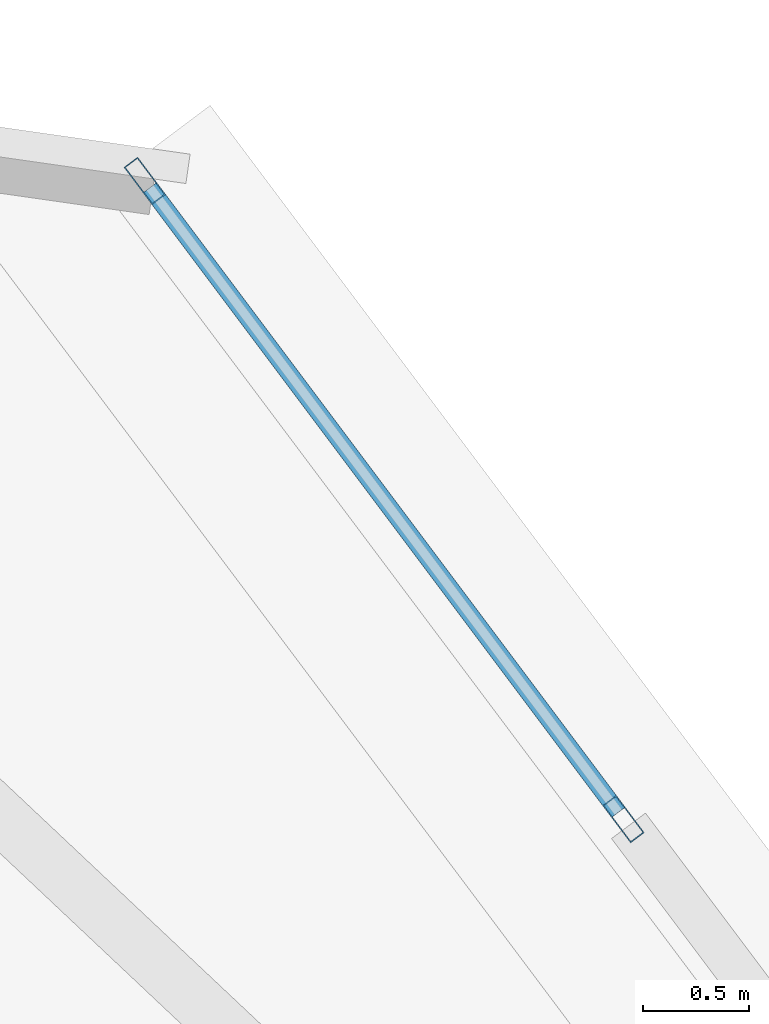
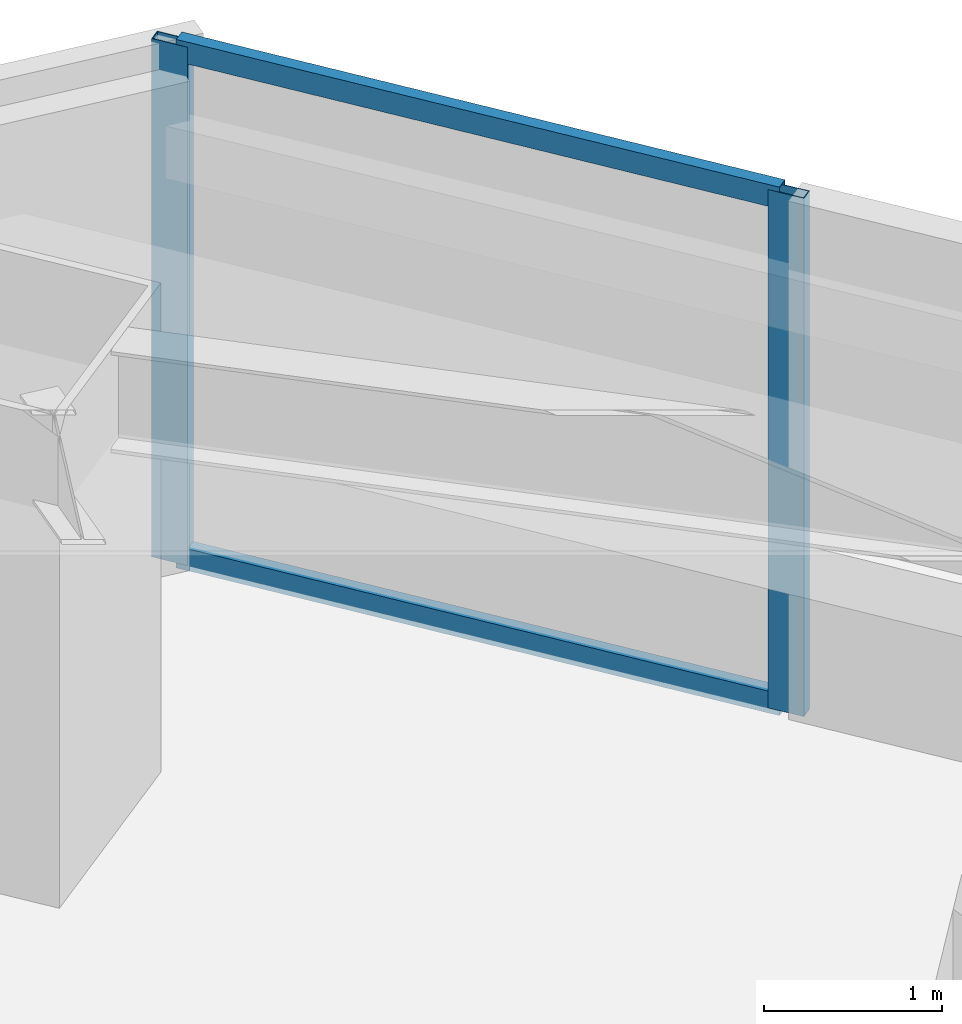
# One storey, part 30 of 44: 4 members, 1 element without a shape of its own.
"""IFC4 building model written with IfcOpenShell, lengths in metres."""

from ifc_helpers import new_model, si_unit, direction, frame, origin, origin_2d, place, context, subcontext, project, spatial, hollow_rectangle, extrude, material, material_profile, profile_set, type_object, element, aggregate, save


model = new_model("IFC4")

# Units and contexts
model_context = context("Model", 3, precision=1e-05, world=origin(), true_north=direction((0.0, 1.0)))
body_context = subcontext(model_context, "Body", "Model", "MODEL_VIEW")
ifc_project = project(units=[si_unit("LENGTHUNIT", "METRE"), si_unit("AREAUNIT", "SQUARE_METRE"), si_unit("VOLUMEUNIT", "CUBIC_METRE"), si_unit("PLANEANGLEUNIT", "RADIAN"), si_unit("MASSUNIT", "GRAM", prefix="KILO")], contexts=[model_context])

# Site, building, storey
site_placement = place(None, origin())
site = spatial("IfcSite", under=ifc_project, at=site_placement, CompositionType="ELEMENT")
building_placement = place(site_placement, origin())
building = spatial("IfcBuilding", under=site, at=building_placement, Name="Tashvorn Skyway Center", CompositionType="ELEMENT")
storey_placement = place(building_placement, frame((0.0, 0.0, 84.949951171875)))
storey = spatial("IfcBuildingStorey", under=building, at=storey_placement, Name="L22", CompositionType="ELEMENT", Elevation=84.949951171875)

# Curtain wall, members
ifc_material = material(Name="Thermally broken bronze-anodized aluminium 6063-T6", Category="aluminium")
curtain_wall_type = type_object("IfcCurtainWallType", Name="CW-CW-Z2", PredefinedType="NOTDEFINED", material=ifc_material)
curtain_wall_placement = place(storey_placement, origin())
curtain_wall = element("IfcCurtainWall", 1, at=curtain_wall_placement, inside=storey, type_object=curtain_wall_type, Name="Tower 2 L22 East Unitised Curtain Wall Glazing Group 1", PredefinedType="NOTDEFINED")
ifc_material_profile_1 = material_profile(ifc_material, hollow_rectangle(XDim=0.080078125, YDim=0.219970703125, WallThickness=0.0048828125, at=origin_2d()), Name="ALU-MULL-80x220")
ifc_profile_set_1 = profile_set([ifc_material_profile_1], Name="Thermally broken bronze-anodized aluminium 6063-T6")
member_type_1 = type_object("IfcMemberType", Name="CWM-CW-Z2", PredefinedType="MULLION", material=ifc_profile_set_1)
member_1_placement = place(storey_placement, frame((119.56005859375, 57.719970703125, 0.0), z_axis=(0.0, 0.0, 1.0), x_axis=(0.799999999998, 0.600000000002, 0.0)))
member_1 = element("IfcMember", 2, at=member_1_placement, type_object=member_type_1, Name="CW-Z2 mullion 1", PredefinedType="MULLION", context=body_context, shape_type="SweptSolid", body=[
    extrude(hollow_rectangle(XDim=0.080078125, YDim=0.219970703125, WallThickness=0.0048828125, at=origin_2d()), origin(), (0.0, 0.0, 1.0), 3.550048828125),
])
member_2_placement = place(storey_placement, frame((121.81591796875, 54.7119140625, 0.0), z_axis=(0.0, 0.0, 1.0), x_axis=(0.799999999998, 0.600000000002, 0.0)))
member_2 = element("IfcMember", 3, at=member_2_placement, type_object=member_type_1, Name="CW-Z2 mullion 2", PredefinedType="MULLION", context=body_context, shape_type="SweptSolid", body=[
    extrude(hollow_rectangle(XDim=0.080078125, YDim=0.219970703125, WallThickness=0.0048828125, at=origin_2d()), origin(), (0.0, 0.0, 1.0), 3.550048828125),
])
ifc_material_profile_2 = material_profile(ifc_material, hollow_rectangle(XDim=0.080078125, YDim=0.14990234375, WallThickness=0.00439453125, at=origin_2d()), Name="ALU-TRAN-80x150")
ifc_profile_set_2 = profile_set([ifc_material_profile_2], Name="Thermally broken bronze-anodized aluminium 6063-T6")
member_type_2 = type_object("IfcMemberType", Name="CWT-CW-Z2", PredefinedType="USERDEFINED", material=ifc_profile_set_2)
member_3_placement = place(storey_placement, frame((119.583984375, 57.68798828125, 0.0400390625), z_axis=(0.599989385363, -0.800007960868, 0.0), x_axis=(0.800007960868, 0.599989385363, 0.0)))
member_3 = element("IfcMember", 4, at=member_3_placement, type_object=member_type_2, Name="CW-Z2 transom 1.1", ObjectType="TRANSOM", PredefinedType="USERDEFINED", context=body_context, shape_type="SweptSolid", body=[
    extrude(hollow_rectangle(XDim=0.080078125, YDim=0.14990234375, WallThickness=0.00439453125, at=origin_2d()), origin(), (0.0, 0.0, 1.0), 3.68017578125),
])
member_4_placement = place(storey_placement, frame((119.583984375, 57.68798828125, 3.510009765625), z_axis=(0.599989385363, -0.800007960868, 0.0), x_axis=(0.800007960868, 0.599989385363, 0.0)))
member_4 = element("IfcMember", 5, at=member_4_placement, type_object=member_type_2, Name="CW-Z2 transom 1.2", ObjectType="TRANSOM", PredefinedType="USERDEFINED", context=body_context, shape_type="SweptSolid", body=[
    extrude(hollow_rectangle(XDim=0.080078125, YDim=0.14990234375, WallThickness=0.00439453125, at=origin_2d()), origin(), (0.0, 0.0, 1.0), 3.68017578125),
])
aggregate(curtain_wall, [member_1, member_2, member_3, member_4])

save(model, "model.ifc")
